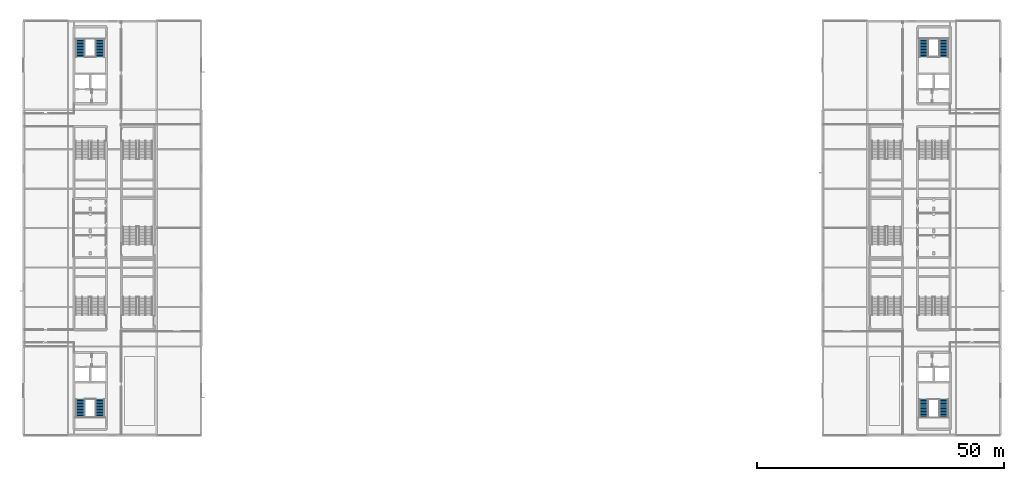
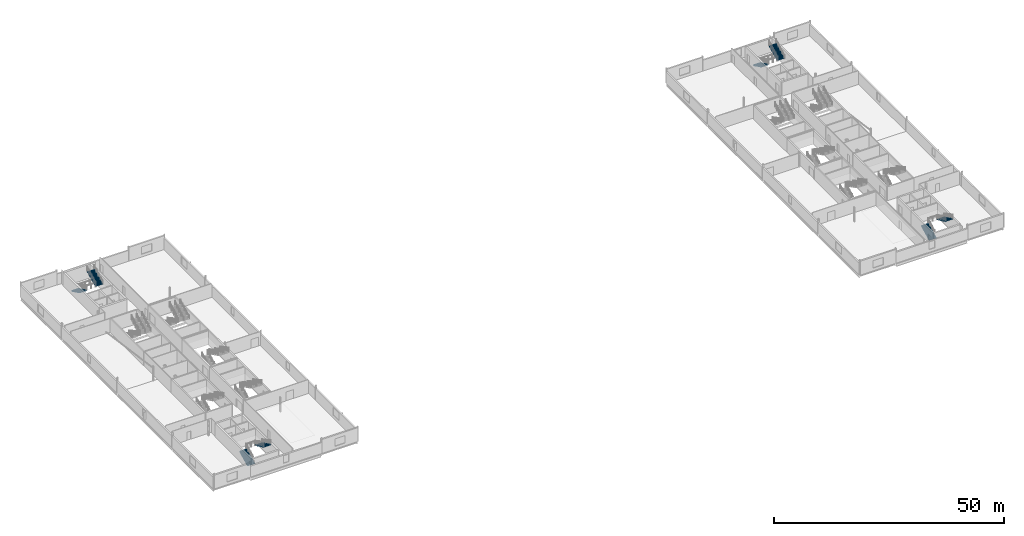
# One storey, part 25 of 35: 8 stair flights, 4 elements without a shape of their own.
"""IFC4 building model written with IfcOpenShell, lengths in metres."""

from ifc_helpers import new_model, si_unit, direction, frame, origin, place, context, subcontext, project, spatial, polyline, outline, extrude, material, type_object, element, aggregate, save


model = new_model("IFC4")

# Units and contexts
model_context = context("Model", 3, precision=1e-05, world=origin(), true_north=direction((0.0, 1.0)))
body_context = subcontext(model_context, "Body", "Model", "MODEL_VIEW")
ifc_project = project(units=[si_unit("LENGTHUNIT", "METRE"), si_unit("AREAUNIT", "SQUARE_METRE"), si_unit("VOLUMEUNIT", "CUBIC_METRE"), si_unit("PLANEANGLEUNIT", "RADIAN"), si_unit("MASSUNIT", "GRAM", prefix="KILO")], contexts=[model_context])

# Site, building, storey
site_placement = place(None, origin())
site = spatial("IfcSite", under=ifc_project, at=site_placement, CompositionType="ELEMENT")
building_placement = place(site_placement, origin())
building = spatial("IfcBuilding", under=site, at=building_placement, Name="Kisiwana Market Hall", CompositionType="ELEMENT")
storey_placement = place(building_placement, frame((0.0, 0.0, 61.800048828125)))
storey = spatial("IfcBuildingStorey", under=building, at=storey_placement, Name="L14", CompositionType="ELEMENT", Elevation=61.800048828125)

# Stair, stair flights
ifc_material_1 = material(Name="Concrete C32/40", Category="concrete")
stair_type = type_object("IfcStairType", Name="ST-TWR-3900", PredefinedType="TWO_STRAIGHT_RUN_STAIR", material=ifc_material_1)
stair_1_placement = place(storey_placement, origin())
stair_1 = element("IfcStair", 1, at=stair_1_placement, inside=storey, type_object=stair_type, Name="Escape stair ST-W2-L14", PredefinedType="TWO_STRAIGHT_RUN_STAIR")
ifc_material_2 = material(Name="Concrete C32/40", Category="concrete")
stair_flight_type = type_object("IfcStairFlightType", Name="SF-TWR-3900", PredefinedType="STRAIGHT", material=ifc_material_2)
stair_flight_1_placement = place(storey_placement, frame((11.5, 21.674560546875, 0.0), z_axis=(0.0, 0.0, 1.0), x_axis=(0.0, 1.0, 0.0)))
stair_flight_1 = element("IfcStairFlight", 2, at=stair_flight_1_placement, type_object=stair_flight_type, Name="ST-W2-L14 flight 1", NumberOfRisers=13, NumberOfTreads=12, PredefinedType="STRAIGHT", RiserHeight=0.15, TreadLength=0.305, context=body_context, shape_type="SweptSolid", body=[
    extrude(outline(polyline([(0.0, 0.0), (0.0, 0.14990234375), (0.304931640625, 0.14990234375), (0.304931640625, 0.300048828125), (0.610107421875, 0.300048828125), (0.610107421875, 0.449951171875), (0.9150390625, 0.449951171875), (0.9150390625, 0.60009765625), (1.219970703125, 0.60009765625), (1.219970703125, 0.75), (1.52490234375, 0.75), (1.52490234375, 0.89990234375), (1.830078125, 0.89990234375), (1.830078125, 1.050048828125), (2.135009765625, 1.050048828125), (2.135009765625, 1.199951171875), (2.43994140625, 1.199951171875), (2.43994140625, 1.35009765625), (2.7451171875, 1.35009765625), (2.7451171875, 1.5), (3.050048828125, 1.5), (3.050048828125, 1.64990234375), (3.35498046875, 1.64990234375), (3.35498046875, 1.800048828125), (3.659912109375, 1.800048828125), (3.659912109375, 1.949951171875), (3.659912109375, 1.599365234375), (0.40771484375, 0.0), (0.0, 0.0)])), frame((0.0, 0.925048828125, 0.0), z_axis=(0.0, -1.0, 0.0), x_axis=(1.0, 0.0, 0.0)), (0.0, 0.0, 1.0), 1.85009765625),
])
stair_flight_2_placement = place(storey_placement, frame((15.5, 25.33447265625, 1.949951171875), z_axis=(0.0, 0.0, 1.0), x_axis=(0.0, -1.0, 0.0)))
stair_flight_2 = element("IfcStairFlight", 3, at=stair_flight_2_placement, type_object=stair_flight_type, Name="ST-W2-L14 flight 2", NumberOfRisers=13, NumberOfTreads=12, PredefinedType="STRAIGHT", RiserHeight=0.15, TreadLength=0.305, context=body_context, shape_type="SweptSolid", body=[
    extrude(outline(polyline([(0.0, 0.0), (0.0, 0.14990234375), (0.304931640625, 0.14990234375), (0.304931640625, 0.300048828125), (0.610107421875, 0.300048828125), (0.610107421875, 0.449951171875), (0.9150390625, 0.449951171875), (0.9150390625, 0.60009765625), (1.219970703125, 0.60009765625), (1.219970703125, 0.75), (1.52490234375, 0.75), (1.52490234375, 0.89990234375), (1.830078125, 0.89990234375), (1.830078125, 1.050048828125), (2.135009765625, 1.050048828125), (2.135009765625, 1.199951171875), (2.43994140625, 1.199951171875), (2.43994140625, 1.35009765625), (2.7451171875, 1.35009765625), (2.7451171875, 1.5), (3.050048828125, 1.5), (3.050048828125, 1.64990234375), (3.35498046875, 1.64990234375), (3.35498046875, 1.800048828125), (3.659912109375, 1.800048828125), (3.659912109375, 1.949951171875), (3.659912109375, 1.599365234375), (0.40771484375, 0.0), (0.0, 0.0)])), frame((0.0, 0.925048828125, 0.0), z_axis=(0.0, -1.0, 0.0), x_axis=(1.0, 0.0, 0.0)), (0.0, 0.0, 1.0), 1.85009765625),
])
aggregate(stair_1, [stair_flight_1, stair_flight_2])

stair_2_placement = place(storey_placement, origin())
stair_2 = element("IfcStair", 4, at=stair_2_placement, inside=storey, type_object=stair_type, Name="Escape stair ST-W1-L14", PredefinedType="TWO_STRAIGHT_RUN_STAIR")
stair_flight_3_placement = place(storey_placement, frame((11.5, 98.325439453125, 0.0), z_axis=(0.0, 0.0, 1.0), x_axis=(0.0, -1.0, 0.0)))
stair_flight_3 = element("IfcStairFlight", 5, at=stair_flight_3_placement, type_object=stair_flight_type, Name="ST-W1-L14 flight 1", NumberOfRisers=13, NumberOfTreads=12, PredefinedType="STRAIGHT", RiserHeight=0.15, TreadLength=0.305, context=body_context, shape_type="SweptSolid", body=[
    extrude(outline(polyline([(0.0, 0.0), (0.0, 0.14990234375), (0.304931640625, 0.14990234375), (0.304931640625, 0.300048828125), (0.610107421875, 0.300048828125), (0.610107421875, 0.449951171875), (0.9150390625, 0.449951171875), (0.9150390625, 0.60009765625), (1.219970703125, 0.60009765625), (1.219970703125, 0.75), (1.52490234375, 0.75), (1.52490234375, 0.89990234375), (1.830078125, 0.89990234375), (1.830078125, 1.050048828125), (2.135009765625, 1.050048828125), (2.135009765625, 1.199951171875), (2.43994140625, 1.199951171875), (2.43994140625, 1.35009765625), (2.7451171875, 1.35009765625), (2.7451171875, 1.5), (3.050048828125, 1.5), (3.050048828125, 1.64990234375), (3.35498046875, 1.64990234375), (3.35498046875, 1.800048828125), (3.659912109375, 1.800048828125), (3.659912109375, 1.949951171875), (3.659912109375, 1.599365234375), (0.40771484375, 0.0), (0.0, 0.0)])), frame((0.0, 0.925048828125, 0.0), z_axis=(0.0, -1.0, 0.0), x_axis=(1.0, 0.0, 0.0)), (0.0, 0.0, 1.0), 1.85009765625),
])
stair_flight_4_placement = place(storey_placement, frame((15.5, 94.66552734375, 1.949951171875), z_axis=(0.0, 0.0, 1.0), x_axis=(0.0, 1.0, 0.0)))
stair_flight_4 = element("IfcStairFlight", 6, at=stair_flight_4_placement, type_object=stair_flight_type, Name="ST-W1-L14 flight 2", NumberOfRisers=13, NumberOfTreads=12, PredefinedType="STRAIGHT", RiserHeight=0.15, TreadLength=0.305, context=body_context, shape_type="SweptSolid", body=[
    extrude(outline(polyline([(0.0, 0.0), (0.0, 0.14990234375), (0.304931640625, 0.14990234375), (0.304931640625, 0.300048828125), (0.610107421875, 0.300048828125), (0.610107421875, 0.449951171875), (0.9150390625, 0.449951171875), (0.9150390625, 0.60009765625), (1.219970703125, 0.60009765625), (1.219970703125, 0.75), (1.52490234375, 0.75), (1.52490234375, 0.89990234375), (1.830078125, 0.89990234375), (1.830078125, 1.050048828125), (2.135009765625, 1.050048828125), (2.135009765625, 1.199951171875), (2.43994140625, 1.199951171875), (2.43994140625, 1.35009765625), (2.7451171875, 1.35009765625), (2.7451171875, 1.5), (3.050048828125, 1.5), (3.050048828125, 1.64990234375), (3.35498046875, 1.64990234375), (3.35498046875, 1.800048828125), (3.659912109375, 1.800048828125), (3.659912109375, 1.949951171875), (3.659912109375, 1.599365234375), (0.40771484375, 0.0), (0.0, 0.0)])), frame((0.0, 0.925048828125, 0.0), z_axis=(0.0, -1.0, 0.0), x_axis=(1.0, 0.0, 0.0)), (0.0, 0.0, 1.0), 1.85009765625),
])
aggregate(stair_2, [stair_flight_3, stair_flight_4])

stair_3_placement = place(storey_placement, origin())
stair_3 = element("IfcStair", 7, at=stair_3_placement, inside=storey, type_object=stair_type, Name="Escape stair ST-E2-L14", PredefinedType="TWO_STRAIGHT_RUN_STAIR")
stair_flight_5_placement = place(storey_placement, frame((182.47509765625, 21.6494140625, 0.0), z_axis=(0.0, 0.0, 1.0), x_axis=(0.0, 1.0, 0.0)))
stair_flight_5 = element("IfcStairFlight", 8, at=stair_flight_5_placement, type_object=stair_flight_type, Name="ST-E2-L14 flight 1", NumberOfRisers=13, NumberOfTreads=12, PredefinedType="STRAIGHT", RiserHeight=0.15, TreadLength=0.305, context=body_context, shape_type="SweptSolid", body=[
    extrude(outline(polyline([(0.0, 0.0), (0.0, 0.14990234375), (0.304931640625, 0.14990234375), (0.304931640625, 0.300048828125), (0.610107421875, 0.300048828125), (0.610107421875, 0.449951171875), (0.9150390625, 0.449951171875), (0.9150390625, 0.60009765625), (1.219970703125, 0.60009765625), (1.219970703125, 0.75), (1.52490234375, 0.75), (1.52490234375, 0.89990234375), (1.830078125, 0.89990234375), (1.830078125, 1.050048828125), (2.135009765625, 1.050048828125), (2.135009765625, 1.199951171875), (2.43994140625, 1.199951171875), (2.43994140625, 1.35009765625), (2.7451171875, 1.35009765625), (2.7451171875, 1.5), (3.050048828125, 1.5), (3.050048828125, 1.64990234375), (3.35498046875, 1.64990234375), (3.35498046875, 1.800048828125), (3.659912109375, 1.800048828125), (3.659912109375, 1.949951171875), (3.659912109375, 1.599365234375), (0.40771484375, 0.0), (0.0, 0.0)])), frame((0.0, 0.925048828125, 0.0), z_axis=(0.0, -1.0, 0.0), x_axis=(1.0, 0.0, 0.0)), (0.0, 0.0, 1.0), 1.85009765625),
])
stair_flight_6_placement = place(storey_placement, frame((186.52490234375, 25.3095703125, 1.949951171875), z_axis=(0.0, 0.0, 1.0), x_axis=(0.0, -1.0, 0.0)))
stair_flight_6 = element("IfcStairFlight", 9, at=stair_flight_6_placement, type_object=stair_flight_type, Name="ST-E2-L14 flight 2", NumberOfRisers=13, NumberOfTreads=12, PredefinedType="STRAIGHT", RiserHeight=0.15, TreadLength=0.305, context=body_context, shape_type="SweptSolid", body=[
    extrude(outline(polyline([(0.0, 0.0), (0.0, 0.14990234375), (0.304931640625, 0.14990234375), (0.304931640625, 0.300048828125), (0.610107421875, 0.300048828125), (0.610107421875, 0.449951171875), (0.9150390625, 0.449951171875), (0.9150390625, 0.60009765625), (1.219970703125, 0.60009765625), (1.219970703125, 0.75), (1.52490234375, 0.75), (1.52490234375, 0.89990234375), (1.830078125, 0.89990234375), (1.830078125, 1.050048828125), (2.135009765625, 1.050048828125), (2.135009765625, 1.199951171875), (2.43994140625, 1.199951171875), (2.43994140625, 1.35009765625), (2.7451171875, 1.35009765625), (2.7451171875, 1.5), (3.050048828125, 1.5), (3.050048828125, 1.64990234375), (3.35498046875, 1.64990234375), (3.35498046875, 1.800048828125), (3.659912109375, 1.800048828125), (3.659912109375, 1.949951171875), (3.659912109375, 1.599365234375), (0.40771484375, 0.0), (0.0, 0.0)])), frame((0.0, 0.925048828125, 0.0), z_axis=(0.0, -1.0, 0.0), x_axis=(1.0, 0.0, 0.0)), (0.0, 0.0, 1.0), 1.85009765625),
])
aggregate(stair_3, [stair_flight_5, stair_flight_6])

stair_4_placement = place(storey_placement, origin())
stair_4 = element("IfcStair", 10, at=stair_4_placement, inside=storey, type_object=stair_type, Name="Escape stair ST-E1-L14", PredefinedType="TWO_STRAIGHT_RUN_STAIR")
stair_flight_7_placement = place(storey_placement, frame((182.47509765625, 98.3505859375, 0.0), z_axis=(0.0, 0.0, 1.0), x_axis=(0.0, -1.0, 0.0)))
stair_flight_7 = element("IfcStairFlight", 11, at=stair_flight_7_placement, type_object=stair_flight_type, Name="ST-E1-L14 flight 1", NumberOfRisers=13, NumberOfTreads=12, PredefinedType="STRAIGHT", RiserHeight=0.15, TreadLength=0.305, context=body_context, shape_type="SweptSolid", body=[
    extrude(outline(polyline([(0.0, 0.0), (0.0, 0.14990234375), (0.304931640625, 0.14990234375), (0.304931640625, 0.300048828125), (0.610107421875, 0.300048828125), (0.610107421875, 0.449951171875), (0.9150390625, 0.449951171875), (0.9150390625, 0.60009765625), (1.219970703125, 0.60009765625), (1.219970703125, 0.75), (1.52490234375, 0.75), (1.52490234375, 0.89990234375), (1.830078125, 0.89990234375), (1.830078125, 1.050048828125), (2.135009765625, 1.050048828125), (2.135009765625, 1.199951171875), (2.43994140625, 1.199951171875), (2.43994140625, 1.35009765625), (2.7451171875, 1.35009765625), (2.7451171875, 1.5), (3.050048828125, 1.5), (3.050048828125, 1.64990234375), (3.35498046875, 1.64990234375), (3.35498046875, 1.800048828125), (3.659912109375, 1.800048828125), (3.659912109375, 1.949951171875), (3.659912109375, 1.599365234375), (0.40771484375, 0.0), (0.0, 0.0)])), frame((0.0, 0.925048828125, 0.0), z_axis=(0.0, -1.0, 0.0), x_axis=(1.0, 0.0, 0.0)), (0.0, 0.0, 1.0), 1.85009765625),
])
stair_flight_8_placement = place(storey_placement, frame((186.52490234375, 94.6904296875, 1.949951171875), z_axis=(0.0, 0.0, 1.0), x_axis=(0.0, 1.0, 0.0)))
stair_flight_8 = element("IfcStairFlight", 12, at=stair_flight_8_placement, type_object=stair_flight_type, Name="ST-E1-L14 flight 2", NumberOfRisers=13, NumberOfTreads=12, PredefinedType="STRAIGHT", RiserHeight=0.15, TreadLength=0.305, context=body_context, shape_type="SweptSolid", body=[
    extrude(outline(polyline([(0.0, 0.0), (0.0, 0.14990234375), (0.304931640625, 0.14990234375), (0.304931640625, 0.300048828125), (0.610107421875, 0.300048828125), (0.610107421875, 0.449951171875), (0.9150390625, 0.449951171875), (0.9150390625, 0.60009765625), (1.219970703125, 0.60009765625), (1.219970703125, 0.75), (1.52490234375, 0.75), (1.52490234375, 0.89990234375), (1.830078125, 0.89990234375), (1.830078125, 1.050048828125), (2.135009765625, 1.050048828125), (2.135009765625, 1.199951171875), (2.43994140625, 1.199951171875), (2.43994140625, 1.35009765625), (2.7451171875, 1.35009765625), (2.7451171875, 1.5), (3.050048828125, 1.5), (3.050048828125, 1.64990234375), (3.35498046875, 1.64990234375), (3.35498046875, 1.800048828125), (3.659912109375, 1.800048828125), (3.659912109375, 1.949951171875), (3.659912109375, 1.599365234375), (0.40771484375, 0.0), (0.0, 0.0)])), frame((0.0, 0.925048828125, 0.0), z_axis=(0.0, -1.0, 0.0), x_axis=(1.0, 0.0, 0.0)), (0.0, 0.0, 1.0), 1.85009765625),
])
aggregate(stair_4, [stair_flight_7, stair_flight_8])

save(model, "model.ifc")
